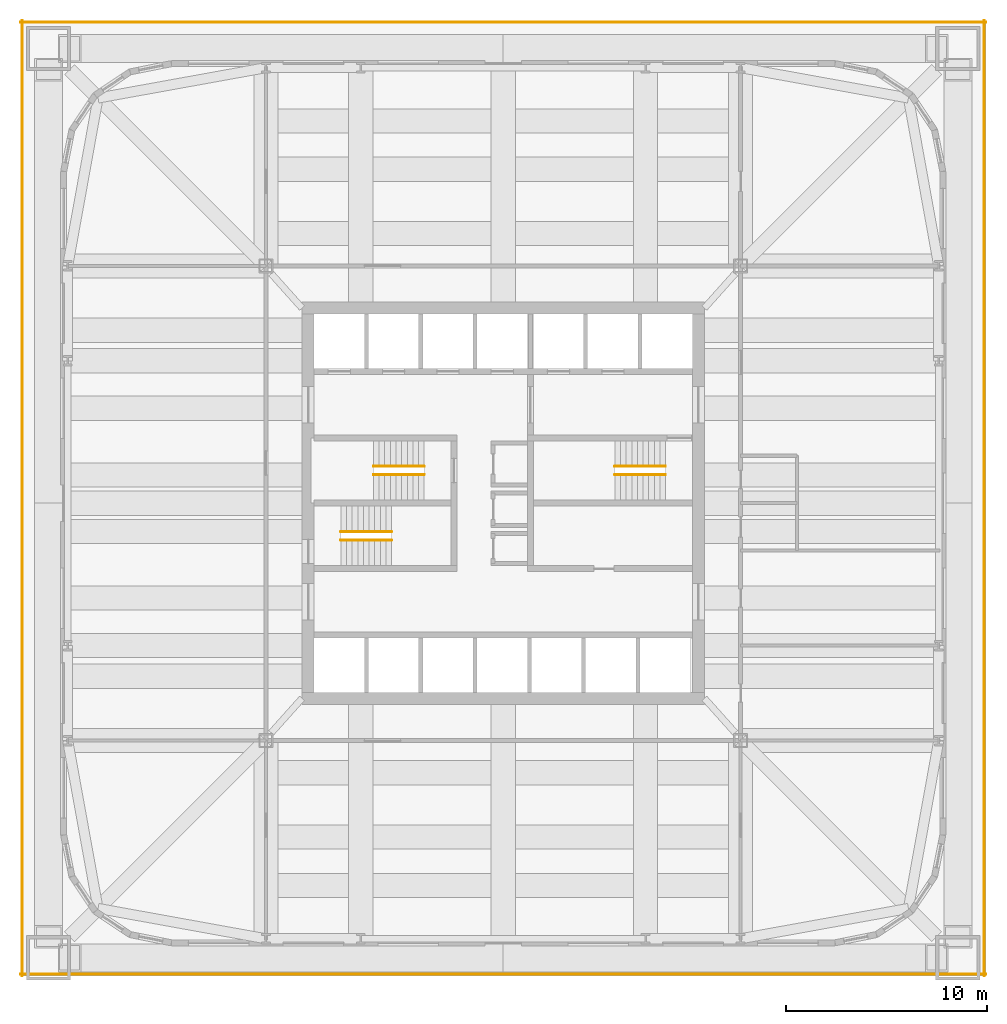
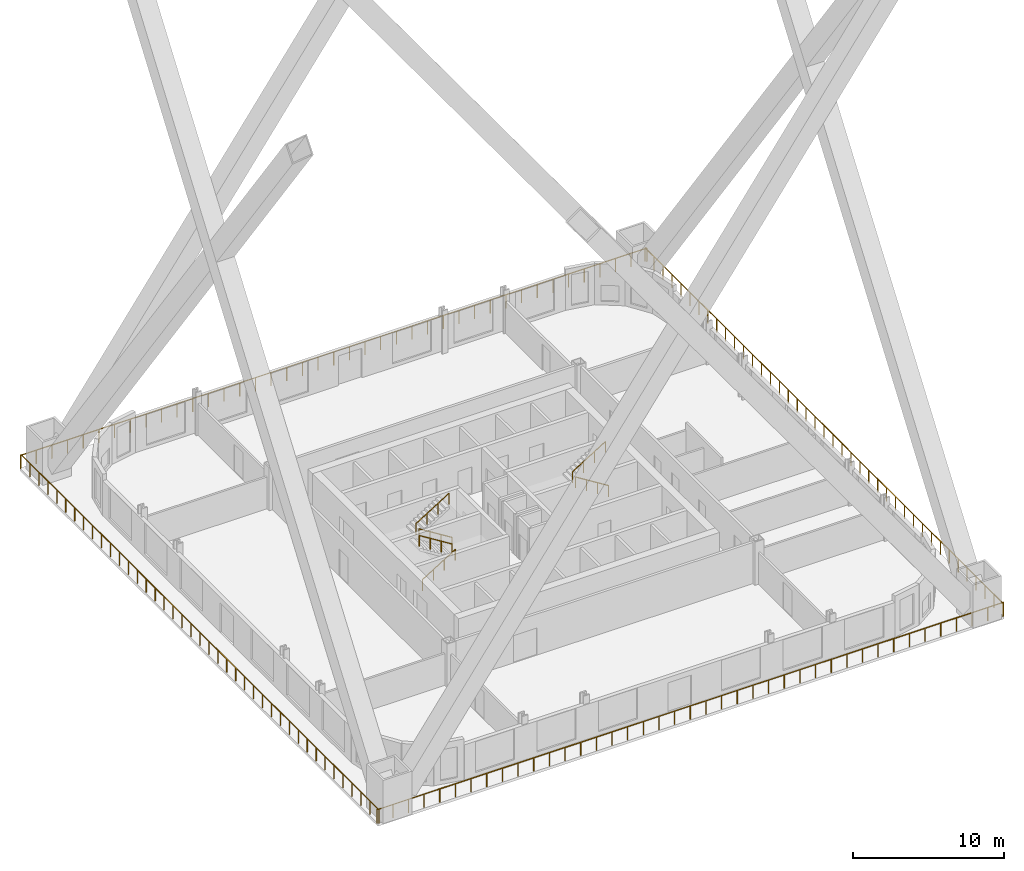
# One storey, part 7 of 7: 10 railings.
"""IFC4 building model written with IfcOpenShell, lengths in metres."""

from ifc_helpers import new_model, si_unit, direction, frame, origin, origin_2d, place, context, subcontext, project, spatial, circle, extrude, material, type_object, element, save


model = new_model("IFC4")

# Units and contexts
model_context = context("Model", 3, precision=1e-05, world=origin(), true_north=direction((0.0, 1.0)))
body_context = subcontext(model_context, "Body", "Model", "MODEL_VIEW")
ifc_project = project(units=[si_unit("LENGTHUNIT", "METRE"), si_unit("AREAUNIT", "SQUARE_METRE"), si_unit("VOLUMEUNIT", "CUBIC_METRE"), si_unit("PLANEANGLEUNIT", "RADIAN"), si_unit("MASSUNIT", "GRAM", prefix="KILO")], contexts=[model_context])

# Site, building, storey
site_placement = place(None, origin())
site = spatial("IfcSite", under=ifc_project, at=site_placement, CompositionType="ELEMENT")
building_placement = place(site_placement, origin())
building = spatial("IfcBuilding", under=site, at=building_placement, Name="Turquesa Mirador Hotel Tower", CompositionType="ELEMENT")
storey_placement = place(building_placement, frame((0.0, 0.0, 25.0)))
storey = spatial("IfcBuildingStorey", under=building, at=storey_placement, Name="L05", CompositionType="ELEMENT", Elevation=25.0)

# Railings
ifc_material_1 = material(Name="Bronze-finish steel and laminated glass", Category="steel")
railing_type_1 = type_object("IfcRailingType", Name="GUARD 1100 BRONZE AND GLASS", PredefinedType="GUARDRAIL", material=ifc_material_1)
railing_1_placement = place(storey_placement, frame((31.080078125, 21.5, 0.0)))
element("IfcRailing", 1, at=railing_1_placement, inside=storey, type_object=railing_type_1, Name="Terrace guard L05", PredefinedType="GUARDRAIL", context=body_context, shape_type="SweptSolid", body=[
    extrude(circle(Radius=0.02392578125, at=origin_2d()), frame((0.0, 0.0, 1.076171875), z_axis=(0.0, 1.0, 0.0), x_axis=(-1.0, 0.0, 0.0)), (0.0, 0.0, 1.0), 47.5),
    extrude(circle(Radius=0.02099609375, at=origin_2d()), origin(), (0.0, 0.0, 1.0), 1.052001953125),
    extrude(circle(Radius=0.02099609375, at=origin_2d()), frame((0.0, 1.1875, 0.0)), (0.0, 0.0, 1.0), 1.052001953125),
    extrude(circle(Radius=0.02099609375, at=origin_2d()), frame((0.0, 2.375, 0.0)), (0.0, 0.0, 1.0), 1.052001953125),
    extrude(circle(Radius=0.02099609375, at=origin_2d()), frame((0.0, 3.5625, 0.0)), (0.0, 0.0, 1.0), 1.052001953125),
    extrude(circle(Radius=0.02099609375, at=origin_2d()), frame((0.0, 4.75, 0.0)), (0.0, 0.0, 1.0), 1.052001953125),
    extrude(circle(Radius=0.02099609375, at=origin_2d()), frame((0.0, 5.9375, 0.0)), (0.0, 0.0, 1.0), 1.052001953125),
    extrude(circle(Radius=0.02099609375, at=origin_2d()), frame((0.0, 7.125, 0.0)), (0.0, 0.0, 1.0), 1.052001953125),
    extrude(circle(Radius=0.02099609375, at=origin_2d()), frame((0.0, 8.3125, 0.0)), (0.0, 0.0, 1.0), 1.052001953125),
    extrude(circle(Radius=0.02099609375, at=origin_2d()), frame((0.0, 9.5, 0.0)), (0.0, 0.0, 1.0), 1.052001953125),
    extrude(circle(Radius=0.02099609375, at=origin_2d()), frame((0.0, 10.6875, 0.0)), (0.0, 0.0, 1.0), 1.052001953125),
    extrude(circle(Radius=0.02099609375, at=origin_2d()), frame((0.0, 11.875, 0.0)), (0.0, 0.0, 1.0), 1.052001953125),
    extrude(circle(Radius=0.02099609375, at=origin_2d()), frame((0.0, 13.0625, 0.0)), (0.0, 0.0, 1.0), 1.052001953125),
    extrude(circle(Radius=0.02099609375, at=origin_2d()), frame((0.0, 14.25, 0.0)), (0.0, 0.0, 1.0), 1.052001953125),
    extrude(circle(Radius=0.02099609375, at=origin_2d()), frame((0.0, 15.4375, 0.0)), (0.0, 0.0, 1.0), 1.052001953125),
    extrude(circle(Radius=0.02099609375, at=origin_2d()), frame((0.0, 16.625, 0.0)), (0.0, 0.0, 1.0), 1.052001953125),
    extrude(circle(Radius=0.02099609375, at=origin_2d()), frame((0.0, 17.8125, 0.0)), (0.0, 0.0, 1.0), 1.052001953125),
    extrude(circle(Radius=0.02099609375, at=origin_2d()), frame((0.0, 19.0, 0.0)), (0.0, 0.0, 1.0), 1.052001953125),
    extrude(circle(Radius=0.02099609375, at=origin_2d()), frame((0.0, 20.1875, 0.0)), (0.0, 0.0, 1.0), 1.052001953125),
    extrude(circle(Radius=0.02099609375, at=origin_2d()), frame((0.0, 21.375, 0.0)), (0.0, 0.0, 1.0), 1.052001953125),
    extrude(circle(Radius=0.02099609375, at=origin_2d()), frame((0.0, 22.5625, 0.0)), (0.0, 0.0, 1.0), 1.052001953125),
    extrude(circle(Radius=0.02099609375, at=origin_2d()), frame((0.0, 23.75, 0.0)), (0.0, 0.0, 1.0), 1.052001953125),
    extrude(circle(Radius=0.02099609375, at=origin_2d()), frame((0.0, 24.9375, 0.0)), (0.0, 0.0, 1.0), 1.052001953125),
    extrude(circle(Radius=0.02099609375, at=origin_2d()), frame((0.0, 26.125, 0.0)), (0.0, 0.0, 1.0), 1.052001953125),
    extrude(circle(Radius=0.02099609375, at=origin_2d()), frame((0.0, 27.3125, 0.0)), (0.0, 0.0, 1.0), 1.052001953125),
    extrude(circle(Radius=0.02099609375, at=origin_2d()), frame((0.0, 28.5, 0.0)), (0.0, 0.0, 1.0), 1.052001953125),
    extrude(circle(Radius=0.02099609375, at=origin_2d()), frame((0.0, 29.6875, 0.0)), (0.0, 0.0, 1.0), 1.052001953125),
    extrude(circle(Radius=0.02099609375, at=origin_2d()), frame((0.0, 30.875, 0.0)), (0.0, 0.0, 1.0), 1.052001953125),
    extrude(circle(Radius=0.02099609375, at=origin_2d()), frame((0.0, 32.0625, 0.0)), (0.0, 0.0, 1.0), 1.052001953125),
    extrude(circle(Radius=0.02099609375, at=origin_2d()), frame((0.0, 33.25, 0.0)), (0.0, 0.0, 1.0), 1.052001953125),
    extrude(circle(Radius=0.02099609375, at=origin_2d()), frame((0.0, 34.4375, 0.0)), (0.0, 0.0, 1.0), 1.052001953125),
    extrude(circle(Radius=0.02099609375, at=origin_2d()), frame((0.0, 35.625, 0.0)), (0.0, 0.0, 1.0), 1.052001953125),
    extrude(circle(Radius=0.02099609375, at=origin_2d()), frame((0.0, 36.8125, 0.0)), (0.0, 0.0, 1.0), 1.052001953125),
    extrude(circle(Radius=0.02099609375, at=origin_2d()), frame((0.0, 38.0, 0.0)), (0.0, 0.0, 1.0), 1.052001953125),
    extrude(circle(Radius=0.02099609375, at=origin_2d()), frame((0.0, 39.1875, 0.0)), (0.0, 0.0, 1.0), 1.052001953125),
    extrude(circle(Radius=0.02099609375, at=origin_2d()), frame((0.0, 40.375, 0.0)), (0.0, 0.0, 1.0), 1.052001953125),
    extrude(circle(Radius=0.02099609375, at=origin_2d()), frame((0.0, 41.5625, 0.0)), (0.0, 0.0, 1.0), 1.052001953125),
    extrude(circle(Radius=0.02099609375, at=origin_2d()), frame((0.0, 42.75, 0.0)), (0.0, 0.0, 1.0), 1.052001953125),
    extrude(circle(Radius=0.02099609375, at=origin_2d()), frame((0.0, 43.9375, 0.0)), (0.0, 0.0, 1.0), 1.052001953125),
    extrude(circle(Radius=0.02099609375, at=origin_2d()), frame((0.0, 45.125, 0.0)), (0.0, 0.0, 1.0), 1.052001953125),
    extrude(circle(Radius=0.02099609375, at=origin_2d()), frame((0.0, 46.3125, 0.0)), (0.0, 0.0, 1.0), 1.052001953125),
    extrude(circle(Radius=0.02099609375, at=origin_2d()), frame((0.0, 47.5, 0.0)), (0.0, 0.0, 1.0), 1.052001953125),
])
railing_2_placement = place(storey_placement, frame((31.0, 68.919921875, 0.0)))
element("IfcRailing", 2, at=railing_2_placement, inside=storey, type_object=railing_type_1, Name="Terrace guard L05", PredefinedType="GUARDRAIL", context=body_context, shape_type="SweptSolid", body=[
    extrude(circle(Radius=0.02392578125, at=origin_2d()), frame((0.0, 0.0, 1.076171875), z_axis=(1.0, 0.0, 0.0), x_axis=(0.0, 1.0, 0.0)), (0.0, 0.0, 1.0), 48.0),
    extrude(circle(Radius=0.02099609375, at=origin_2d()), origin(), (0.0, 0.0, 1.0), 1.052001953125),
    extrude(circle(Radius=0.02099609375, at=origin_2d()), frame((1.199951171875, 0.0, 0.0)), (0.0, 0.0, 1.0), 1.052001953125),
    extrude(circle(Radius=0.02099609375, at=origin_2d()), frame((2.39990234375, 0.0, 0.0)), (0.0, 0.0, 1.0), 1.052001953125),
    extrude(circle(Radius=0.02099609375, at=origin_2d()), frame((3.60009765625, 0.0, 0.0)), (0.0, 0.0, 1.0), 1.052001953125),
    extrude(circle(Radius=0.02099609375, at=origin_2d()), frame((4.800048828125, 0.0, 0.0)), (0.0, 0.0, 1.0), 1.052001953125),
    extrude(circle(Radius=0.02099609375, at=origin_2d()), frame((6.0, 0.0, 0.0)), (0.0, 0.0, 1.0), 1.052001953125),
    extrude(circle(Radius=0.02099609375, at=origin_2d()), frame((7.199951171875, 0.0, 0.0)), (0.0, 0.0, 1.0), 1.052001953125),
    extrude(circle(Radius=0.02099609375, at=origin_2d()), frame((8.39990234375, 0.0, 0.0)), (0.0, 0.0, 1.0), 1.052001953125),
    extrude(circle(Radius=0.02099609375, at=origin_2d()), frame((9.60009765625, 0.0, 0.0)), (0.0, 0.0, 1.0), 1.052001953125),
    extrude(circle(Radius=0.02099609375, at=origin_2d()), frame((10.800048828125, 0.0, 0.0)), (0.0, 0.0, 1.0), 1.052001953125),
    extrude(circle(Radius=0.02099609375, at=origin_2d()), frame((12.0, 0.0, 0.0)), (0.0, 0.0, 1.0), 1.052001953125),
    extrude(circle(Radius=0.02099609375, at=origin_2d()), frame((13.199951171875, 0.0, 0.0)), (0.0, 0.0, 1.0), 1.052001953125),
    extrude(circle(Radius=0.02099609375, at=origin_2d()), frame((14.39990234375, 0.0, 0.0)), (0.0, 0.0, 1.0), 1.052001953125),
    extrude(circle(Radius=0.02099609375, at=origin_2d()), frame((15.60009765625, 0.0, 0.0)), (0.0, 0.0, 1.0), 1.052001953125),
    extrude(circle(Radius=0.02099609375, at=origin_2d()), frame((16.800048828125, 0.0, 0.0)), (0.0, 0.0, 1.0), 1.052001953125),
    extrude(circle(Radius=0.02099609375, at=origin_2d()), frame((18.0, 0.0, 0.0)), (0.0, 0.0, 1.0), 1.052001953125),
    extrude(circle(Radius=0.02099609375, at=origin_2d()), frame((19.199951171875, 0.0, 0.0)), (0.0, 0.0, 1.0), 1.052001953125),
    extrude(circle(Radius=0.02099609375, at=origin_2d()), frame((20.39990234375, 0.0, 0.0)), (0.0, 0.0, 1.0), 1.052001953125),
    extrude(circle(Radius=0.02099609375, at=origin_2d()), frame((21.60009765625, 0.0, 0.0)), (0.0, 0.0, 1.0), 1.052001953125),
    extrude(circle(Radius=0.02099609375, at=origin_2d()), frame((22.800048828125, 0.0, 0.0)), (0.0, 0.0, 1.0), 1.052001953125),
    extrude(circle(Radius=0.02099609375, at=origin_2d()), frame((24.0, 0.0, 0.0)), (0.0, 0.0, 1.0), 1.052001953125),
    extrude(circle(Radius=0.02099609375, at=origin_2d()), frame((25.199951171875, 0.0, 0.0)), (0.0, 0.0, 1.0), 1.052001953125),
    extrude(circle(Radius=0.02099609375, at=origin_2d()), frame((26.39990234375, 0.0, 0.0)), (0.0, 0.0, 1.0), 1.052001953125),
    extrude(circle(Radius=0.02099609375, at=origin_2d()), frame((27.60009765625, 0.0, 0.0)), (0.0, 0.0, 1.0), 1.052001953125),
    extrude(circle(Radius=0.02099609375, at=origin_2d()), frame((28.800048828125, 0.0, 0.0)), (0.0, 0.0, 1.0), 1.052001953125),
    extrude(circle(Radius=0.02099609375, at=origin_2d()), frame((30.0, 0.0, 0.0)), (0.0, 0.0, 1.0), 1.052001953125),
    extrude(circle(Radius=0.02099609375, at=origin_2d()), frame((31.199951171875, 0.0, 0.0)), (0.0, 0.0, 1.0), 1.052001953125),
    extrude(circle(Radius=0.02099609375, at=origin_2d()), frame((32.39990234375, 0.0, 0.0)), (0.0, 0.0, 1.0), 1.052001953125),
    extrude(circle(Radius=0.02099609375, at=origin_2d()), frame((33.60009765625, 0.0, 0.0)), (0.0, 0.0, 1.0), 1.052001953125),
    extrude(circle(Radius=0.02099609375, at=origin_2d()), frame((34.800048828125, 0.0, 0.0)), (0.0, 0.0, 1.0), 1.052001953125),
    extrude(circle(Radius=0.02099609375, at=origin_2d()), frame((36.0, 0.0, 0.0)), (0.0, 0.0, 1.0), 1.052001953125),
    extrude(circle(Radius=0.02099609375, at=origin_2d()), frame((37.199951171875, 0.0, 0.0)), (0.0, 0.0, 1.0), 1.052001953125),
    extrude(circle(Radius=0.02099609375, at=origin_2d()), frame((38.39990234375, 0.0, 0.0)), (0.0, 0.0, 1.0), 1.052001953125),
    extrude(circle(Radius=0.02099609375, at=origin_2d()), frame((39.60009765625, 0.0, 0.0)), (0.0, 0.0, 1.0), 1.052001953125),
    extrude(circle(Radius=0.02099609375, at=origin_2d()), frame((40.800048828125, 0.0, 0.0)), (0.0, 0.0, 1.0), 1.052001953125),
    extrude(circle(Radius=0.02099609375, at=origin_2d()), frame((42.0, 0.0, 0.0)), (0.0, 0.0, 1.0), 1.052001953125),
    extrude(circle(Radius=0.02099609375, at=origin_2d()), frame((43.199951171875, 0.0, 0.0)), (0.0, 0.0, 1.0), 1.052001953125),
    extrude(circle(Radius=0.02099609375, at=origin_2d()), frame((44.39990234375, 0.0, 0.0)), (0.0, 0.0, 1.0), 1.052001953125),
    extrude(circle(Radius=0.02099609375, at=origin_2d()), frame((45.60009765625, 0.0, 0.0)), (0.0, 0.0, 1.0), 1.052001953125),
    extrude(circle(Radius=0.02099609375, at=origin_2d()), frame((46.800048828125, 0.0, 0.0)), (0.0, 0.0, 1.0), 1.052001953125),
    extrude(circle(Radius=0.02099609375, at=origin_2d()), frame((48.0, 0.0, 0.0)), (0.0, 0.0, 1.0), 1.052001953125),
])
railing_3_placement = place(storey_placement, frame((78.919921875, 69.0, 0.0)))
element("IfcRailing", 3, at=railing_3_placement, inside=storey, type_object=railing_type_1, Name="Terrace guard L05", PredefinedType="GUARDRAIL", context=body_context, shape_type="SweptSolid", body=[
    extrude(circle(Radius=0.02392578125, at=origin_2d()), frame((0.0, 0.0, 1.076171875), z_axis=(0.0, -1.0, 0.0), x_axis=(1.0, 0.0, 0.0)), (0.0, 0.0, 1.0), 47.5),
    extrude(circle(Radius=0.02099609375, at=origin_2d()), origin(), (0.0, 0.0, 1.0), 1.052001953125),
    extrude(circle(Radius=0.02099609375, at=origin_2d()), frame((0.0, -1.1875, 0.0)), (0.0, 0.0, 1.0), 1.052001953125),
    extrude(circle(Radius=0.02099609375, at=origin_2d()), frame((0.0, -2.375, 0.0)), (0.0, 0.0, 1.0), 1.052001953125),
    extrude(circle(Radius=0.02099609375, at=origin_2d()), frame((0.0, -3.5625, 0.0)), (0.0, 0.0, 1.0), 1.052001953125),
    extrude(circle(Radius=0.02099609375, at=origin_2d()), frame((0.0, -4.75, 0.0)), (0.0, 0.0, 1.0), 1.052001953125),
    extrude(circle(Radius=0.02099609375, at=origin_2d()), frame((0.0, -5.9375, 0.0)), (0.0, 0.0, 1.0), 1.052001953125),
    extrude(circle(Radius=0.02099609375, at=origin_2d()), frame((0.0, -7.125, 0.0)), (0.0, 0.0, 1.0), 1.052001953125),
    extrude(circle(Radius=0.02099609375, at=origin_2d()), frame((0.0, -8.3125, 0.0)), (0.0, 0.0, 1.0), 1.052001953125),
    extrude(circle(Radius=0.02099609375, at=origin_2d()), frame((0.0, -9.5, 0.0)), (0.0, 0.0, 1.0), 1.052001953125),
    extrude(circle(Radius=0.02099609375, at=origin_2d()), frame((0.0, -10.6875, 0.0)), (0.0, 0.0, 1.0), 1.052001953125),
    extrude(circle(Radius=0.02099609375, at=origin_2d()), frame((0.0, -11.875, 0.0)), (0.0, 0.0, 1.0), 1.052001953125),
    extrude(circle(Radius=0.02099609375, at=origin_2d()), frame((0.0, -13.0625, 0.0)), (0.0, 0.0, 1.0), 1.052001953125),
    extrude(circle(Radius=0.02099609375, at=origin_2d()), frame((0.0, -14.25, 0.0)), (0.0, 0.0, 1.0), 1.052001953125),
    extrude(circle(Radius=0.02099609375, at=origin_2d()), frame((0.0, -15.4375, 0.0)), (0.0, 0.0, 1.0), 1.052001953125),
    extrude(circle(Radius=0.02099609375, at=origin_2d()), frame((0.0, -16.625, 0.0)), (0.0, 0.0, 1.0), 1.052001953125),
    extrude(circle(Radius=0.02099609375, at=origin_2d()), frame((0.0, -17.8125, 0.0)), (0.0, 0.0, 1.0), 1.052001953125),
    extrude(circle(Radius=0.02099609375, at=origin_2d()), frame((0.0, -19.0, 0.0)), (0.0, 0.0, 1.0), 1.052001953125),
    extrude(circle(Radius=0.02099609375, at=origin_2d()), frame((0.0, -20.1875, 0.0)), (0.0, 0.0, 1.0), 1.052001953125),
    extrude(circle(Radius=0.02099609375, at=origin_2d()), frame((0.0, -21.375, 0.0)), (0.0, 0.0, 1.0), 1.052001953125),
    extrude(circle(Radius=0.02099609375, at=origin_2d()), frame((0.0, -22.5625, 0.0)), (0.0, 0.0, 1.0), 1.052001953125),
    extrude(circle(Radius=0.02099609375, at=origin_2d()), frame((0.0, -23.75, 0.0)), (0.0, 0.0, 1.0), 1.052001953125),
    extrude(circle(Radius=0.02099609375, at=origin_2d()), frame((0.0, -24.9375, 0.0)), (0.0, 0.0, 1.0), 1.052001953125),
    extrude(circle(Radius=0.02099609375, at=origin_2d()), frame((0.0, -26.125, 0.0)), (0.0, 0.0, 1.0), 1.052001953125),
    extrude(circle(Radius=0.02099609375, at=origin_2d()), frame((0.0, -27.3125, 0.0)), (0.0, 0.0, 1.0), 1.052001953125),
    extrude(circle(Radius=0.02099609375, at=origin_2d()), frame((0.0, -28.5, 0.0)), (0.0, 0.0, 1.0), 1.052001953125),
    extrude(circle(Radius=0.02099609375, at=origin_2d()), frame((0.0, -29.6875, 0.0)), (0.0, 0.0, 1.0), 1.052001953125),
    extrude(circle(Radius=0.02099609375, at=origin_2d()), frame((0.0, -30.875, 0.0)), (0.0, 0.0, 1.0), 1.052001953125),
    extrude(circle(Radius=0.02099609375, at=origin_2d()), frame((0.0, -32.0625, 0.0)), (0.0, 0.0, 1.0), 1.052001953125),
    extrude(circle(Radius=0.02099609375, at=origin_2d()), frame((0.0, -33.25, 0.0)), (0.0, 0.0, 1.0), 1.052001953125),
    extrude(circle(Radius=0.02099609375, at=origin_2d()), frame((0.0, -34.4375, 0.0)), (0.0, 0.0, 1.0), 1.052001953125),
    extrude(circle(Radius=0.02099609375, at=origin_2d()), frame((0.0, -35.625, 0.0)), (0.0, 0.0, 1.0), 1.052001953125),
    extrude(circle(Radius=0.02099609375, at=origin_2d()), frame((0.0, -36.8125, 0.0)), (0.0, 0.0, 1.0), 1.052001953125),
    extrude(circle(Radius=0.02099609375, at=origin_2d()), frame((0.0, -38.0, 0.0)), (0.0, 0.0, 1.0), 1.052001953125),
    extrude(circle(Radius=0.02099609375, at=origin_2d()), frame((0.0, -39.1875, 0.0)), (0.0, 0.0, 1.0), 1.052001953125),
    extrude(circle(Radius=0.02099609375, at=origin_2d()), frame((0.0, -40.375, 0.0)), (0.0, 0.0, 1.0), 1.052001953125),
    extrude(circle(Radius=0.02099609375, at=origin_2d()), frame((0.0, -41.5625, 0.0)), (0.0, 0.0, 1.0), 1.052001953125),
    extrude(circle(Radius=0.02099609375, at=origin_2d()), frame((0.0, -42.75, 0.0)), (0.0, 0.0, 1.0), 1.052001953125),
    extrude(circle(Radius=0.02099609375, at=origin_2d()), frame((0.0, -43.9375, 0.0)), (0.0, 0.0, 1.0), 1.052001953125),
    extrude(circle(Radius=0.02099609375, at=origin_2d()), frame((0.0, -45.125, 0.0)), (0.0, 0.0, 1.0), 1.052001953125),
    extrude(circle(Radius=0.02099609375, at=origin_2d()), frame((0.0, -46.3125, 0.0)), (0.0, 0.0, 1.0), 1.052001953125),
    extrude(circle(Radius=0.02099609375, at=origin_2d()), frame((0.0, -47.5, 0.0)), (0.0, 0.0, 1.0), 1.052001953125),
])
railing_4_placement = place(storey_placement, frame((79.0, 21.580078125, 0.0)))
element("IfcRailing", 4, at=railing_4_placement, inside=storey, type_object=railing_type_1, Name="Terrace guard L05", PredefinedType="GUARDRAIL", context=body_context, shape_type="SweptSolid", body=[
    extrude(circle(Radius=0.02392578125, at=origin_2d()), frame((0.0, 0.0, 1.076171875), z_axis=(-1.0, 0.0, 0.0), x_axis=(0.0, -1.0, 0.0)), (0.0, 0.0, 1.0), 48.0),
    extrude(circle(Radius=0.02099609375, at=origin_2d()), origin(), (0.0, 0.0, 1.0), 1.052001953125),
    extrude(circle(Radius=0.02099609375, at=origin_2d()), frame((-1.199951171875, 0.0, 0.0)), (0.0, 0.0, 1.0), 1.052001953125),
    extrude(circle(Radius=0.02099609375, at=origin_2d()), frame((-2.39990234375, 0.0, 0.0)), (0.0, 0.0, 1.0), 1.052001953125),
    extrude(circle(Radius=0.02099609375, at=origin_2d()), frame((-3.60009765625, 0.0, 0.0)), (0.0, 0.0, 1.0), 1.052001953125),
    extrude(circle(Radius=0.02099609375, at=origin_2d()), frame((-4.800048828125, 0.0, 0.0)), (0.0, 0.0, 1.0), 1.052001953125),
    extrude(circle(Radius=0.02099609375, at=origin_2d()), frame((-6.0, 0.0, 0.0)), (0.0, 0.0, 1.0), 1.052001953125),
    extrude(circle(Radius=0.02099609375, at=origin_2d()), frame((-7.199951171875, 0.0, 0.0)), (0.0, 0.0, 1.0), 1.052001953125),
    extrude(circle(Radius=0.02099609375, at=origin_2d()), frame((-8.39990234375, 0.0, 0.0)), (0.0, 0.0, 1.0), 1.052001953125),
    extrude(circle(Radius=0.02099609375, at=origin_2d()), frame((-9.60009765625, 0.0, 0.0)), (0.0, 0.0, 1.0), 1.052001953125),
    extrude(circle(Radius=0.02099609375, at=origin_2d()), frame((-10.800048828125, 0.0, 0.0)), (0.0, 0.0, 1.0), 1.052001953125),
    extrude(circle(Radius=0.02099609375, at=origin_2d()), frame((-12.0, 0.0, 0.0)), (0.0, 0.0, 1.0), 1.052001953125),
    extrude(circle(Radius=0.02099609375, at=origin_2d()), frame((-13.199951171875, 0.0, 0.0)), (0.0, 0.0, 1.0), 1.052001953125),
    extrude(circle(Radius=0.02099609375, at=origin_2d()), frame((-14.39990234375, 0.0, 0.0)), (0.0, 0.0, 1.0), 1.052001953125),
    extrude(circle(Radius=0.02099609375, at=origin_2d()), frame((-15.60009765625, 0.0, 0.0)), (0.0, 0.0, 1.0), 1.052001953125),
    extrude(circle(Radius=0.02099609375, at=origin_2d()), frame((-16.800048828125, 0.0, 0.0)), (0.0, 0.0, 1.0), 1.052001953125),
    extrude(circle(Radius=0.02099609375, at=origin_2d()), frame((-18.0, 0.0, 0.0)), (0.0, 0.0, 1.0), 1.052001953125),
    extrude(circle(Radius=0.02099609375, at=origin_2d()), frame((-19.199951171875, 0.0, 0.0)), (0.0, 0.0, 1.0), 1.052001953125),
    extrude(circle(Radius=0.02099609375, at=origin_2d()), frame((-20.39990234375, 0.0, 0.0)), (0.0, 0.0, 1.0), 1.052001953125),
    extrude(circle(Radius=0.02099609375, at=origin_2d()), frame((-21.60009765625, 0.0, 0.0)), (0.0, 0.0, 1.0), 1.052001953125),
    extrude(circle(Radius=0.02099609375, at=origin_2d()), frame((-22.800048828125, 0.0, 0.0)), (0.0, 0.0, 1.0), 1.052001953125),
    extrude(circle(Radius=0.02099609375, at=origin_2d()), frame((-24.0, 0.0, 0.0)), (0.0, 0.0, 1.0), 1.052001953125),
    extrude(circle(Radius=0.02099609375, at=origin_2d()), frame((-25.199951171875, 0.0, 0.0)), (0.0, 0.0, 1.0), 1.052001953125),
    extrude(circle(Radius=0.02099609375, at=origin_2d()), frame((-26.39990234375, 0.0, 0.0)), (0.0, 0.0, 1.0), 1.052001953125),
    extrude(circle(Radius=0.02099609375, at=origin_2d()), frame((-27.60009765625, 0.0, 0.0)), (0.0, 0.0, 1.0), 1.052001953125),
    extrude(circle(Radius=0.02099609375, at=origin_2d()), frame((-28.800048828125, 0.0, 0.0)), (0.0, 0.0, 1.0), 1.052001953125),
    extrude(circle(Radius=0.02099609375, at=origin_2d()), frame((-30.0, 0.0, 0.0)), (0.0, 0.0, 1.0), 1.052001953125),
    extrude(circle(Radius=0.02099609375, at=origin_2d()), frame((-31.199951171875, 0.0, 0.0)), (0.0, 0.0, 1.0), 1.052001953125),
    extrude(circle(Radius=0.02099609375, at=origin_2d()), frame((-32.39990234375, 0.0, 0.0)), (0.0, 0.0, 1.0), 1.052001953125),
    extrude(circle(Radius=0.02099609375, at=origin_2d()), frame((-33.60009765625, 0.0, 0.0)), (0.0, 0.0, 1.0), 1.052001953125),
    extrude(circle(Radius=0.02099609375, at=origin_2d()), frame((-34.800048828125, 0.0, 0.0)), (0.0, 0.0, 1.0), 1.052001953125),
    extrude(circle(Radius=0.02099609375, at=origin_2d()), frame((-36.0, 0.0, 0.0)), (0.0, 0.0, 1.0), 1.052001953125),
    extrude(circle(Radius=0.02099609375, at=origin_2d()), frame((-37.199951171875, 0.0, 0.0)), (0.0, 0.0, 1.0), 1.052001953125),
    extrude(circle(Radius=0.02099609375, at=origin_2d()), frame((-38.39990234375, 0.0, 0.0)), (0.0, 0.0, 1.0), 1.052001953125),
    extrude(circle(Radius=0.02099609375, at=origin_2d()), frame((-39.60009765625, 0.0, 0.0)), (0.0, 0.0, 1.0), 1.052001953125),
    extrude(circle(Radius=0.02099609375, at=origin_2d()), frame((-40.800048828125, 0.0, 0.0)), (0.0, 0.0, 1.0), 1.052001953125),
    extrude(circle(Radius=0.02099609375, at=origin_2d()), frame((-42.0, 0.0, 0.0)), (0.0, 0.0, 1.0), 1.052001953125),
    extrude(circle(Radius=0.02099609375, at=origin_2d()), frame((-43.199951171875, 0.0, 0.0)), (0.0, 0.0, 1.0), 1.052001953125),
    extrude(circle(Radius=0.02099609375, at=origin_2d()), frame((-44.39990234375, 0.0, 0.0)), (0.0, 0.0, 1.0), 1.052001953125),
    extrude(circle(Radius=0.02099609375, at=origin_2d()), frame((-45.60009765625, 0.0, 0.0)), (0.0, 0.0, 1.0), 1.052001953125),
    extrude(circle(Radius=0.02099609375, at=origin_2d()), frame((-46.800048828125, 0.0, 0.0)), (0.0, 0.0, 1.0), 1.052001953125),
    extrude(circle(Radius=0.02099609375, at=origin_2d()), frame((-48.0, 0.0, 0.0)), (0.0, 0.0, 1.0), 1.052001953125),
])
ifc_material_2 = material(Name="Painted steel handrail", Category="steel")
railing_type_2 = type_object("IfcRailingType", Name="HANDRAIL 900 STEEL", PredefinedType="HANDRAIL", material=ifc_material_2)
railing_5_placement = place(storey_placement, frame((51.070068359375, 46.419921875, 0.175048828125)))
element("IfcRailing", 5, at=railing_5_placement, inside=storey, type_object=railing_type_2, Name="Handrail ST1", PredefinedType="HANDRAIL", context=body_context, shape_type="SweptSolid", body=[
    extrude(circle(Radius=0.02392578125, at=origin_2d()), frame((0.0, 0.0, 0.8759765625), z_axis=(-0.848007534815, 0.0, 0.529984170421), x_axis=(0.0, -1.0, 0.0)), (0.0, 0.0, 1.0), 2.9716796875),
    extrude(circle(Radius=0.02099609375, at=origin_2d()), origin(), (0.0, 0.0, 1.0), 0.851806640625),
    extrude(circle(Radius=0.02099609375, at=origin_2d()), frame((-0.840087890625, 0.0, 0.52490234375)), (0.0, 0.0, 1.0), 0.851806640625),
    extrude(circle(Radius=0.02099609375, at=origin_2d()), frame((-1.679931640625, 0.0, 1.050048828125)), (0.0, 0.0, 1.0), 0.851806640625),
    extrude(circle(Radius=0.02099609375, at=origin_2d()), frame((-2.52001953125, 0.0, 1.574951171875)), (0.0, 0.0, 1.0), 0.851806640625),
])
for number, where, name in (
    (6, (48.550048828125, 46.830078125, 1.925048828125), "Handrail ST1"),
    (7, (46.929931640625, 43.169921875, 0.175048828125), "Handrail ST2"),
):
    element("IfcRailing", number, at=place(storey_placement, frame(where)), inside=storey, type_object=railing_type_2, Name=name, PredefinedType="HANDRAIL", context=body_context, shape_type="SweptSolid", body=[
        extrude(circle(Radius=0.02392578125, at=origin_2d()), frame((0.0, 0.0, 0.8759765625), z_axis=(0.848007534815, 0.0, 0.529984170421), x_axis=(0.0, 1.0, 0.0)), (0.0, 0.0, 1.0), 2.9716796875),
        extrude(circle(Radius=0.02099609375, at=origin_2d()), origin(), (0.0, 0.0, 1.0), 0.851806640625),
        extrude(circle(Radius=0.02099609375, at=origin_2d()), frame((0.840087890625, 0.0, 0.52490234375)), (0.0, 0.0, 1.0), 0.851806640625),
        extrude(circle(Radius=0.02099609375, at=origin_2d()), frame((1.679931640625, 0.0, 1.050048828125)), (0.0, 0.0, 1.0), 0.851806640625),
        extrude(circle(Radius=0.02099609375, at=origin_2d()), frame((2.52001953125, 0.0, 1.574951171875)), (0.0, 0.0, 1.0), 0.851806640625),
    ])
for number, where, name in (
    (8, (49.449951171875, 43.580078125, 1.925048828125), "Handrail ST2"),
    (9, (63.070068359375, 46.419921875, 0.175048828125), "Handrail ST3"),
):
    element("IfcRailing", number, at=place(storey_placement, frame(where)), inside=storey, type_object=railing_type_2, Name=name, PredefinedType="HANDRAIL", context=body_context, shape_type="SweptSolid", body=[
        extrude(circle(Radius=0.02392578125, at=origin_2d()), frame((0.0, 0.0, 0.8759765625), z_axis=(-0.848007534815, 0.0, 0.529984170421), x_axis=(0.0, -1.0, 0.0)), (0.0, 0.0, 1.0), 2.9716796875),
        extrude(circle(Radius=0.02099609375, at=origin_2d()), origin(), (0.0, 0.0, 1.0), 0.851806640625),
        extrude(circle(Radius=0.02099609375, at=origin_2d()), frame((-0.840087890625, 0.0, 0.52490234375)), (0.0, 0.0, 1.0), 0.851806640625),
        extrude(circle(Radius=0.02099609375, at=origin_2d()), frame((-1.679931640625, 0.0, 1.050048828125)), (0.0, 0.0, 1.0), 0.851806640625),
        extrude(circle(Radius=0.02099609375, at=origin_2d()), frame((-2.52001953125, 0.0, 1.574951171875)), (0.0, 0.0, 1.0), 0.851806640625),
    ])
railing_6_placement = place(storey_placement, frame((60.550048828125, 46.830078125, 1.925048828125)))
element("IfcRailing", 10, at=railing_6_placement, inside=storey, type_object=railing_type_2, Name="Handrail ST3", PredefinedType="HANDRAIL", context=body_context, shape_type="SweptSolid", body=[
    extrude(circle(Radius=0.02392578125, at=origin_2d()), frame((0.0, 0.0, 0.8759765625), z_axis=(0.848007534815, 0.0, 0.529984170421), x_axis=(0.0, 1.0, 0.0)), (0.0, 0.0, 1.0), 2.9716796875),
    extrude(circle(Radius=0.02099609375, at=origin_2d()), origin(), (0.0, 0.0, 1.0), 0.851806640625),
    extrude(circle(Radius=0.02099609375, at=origin_2d()), frame((0.840087890625, 0.0, 0.52490234375)), (0.0, 0.0, 1.0), 0.851806640625),
    extrude(circle(Radius=0.02099609375, at=origin_2d()), frame((1.679931640625, 0.0, 1.050048828125)), (0.0, 0.0, 1.0), 0.851806640625),
    extrude(circle(Radius=0.02099609375, at=origin_2d()), frame((2.52001953125, 0.0, 1.574951171875)), (0.0, 0.0, 1.0), 0.851806640625),
])

save(model, "model.ifc")
